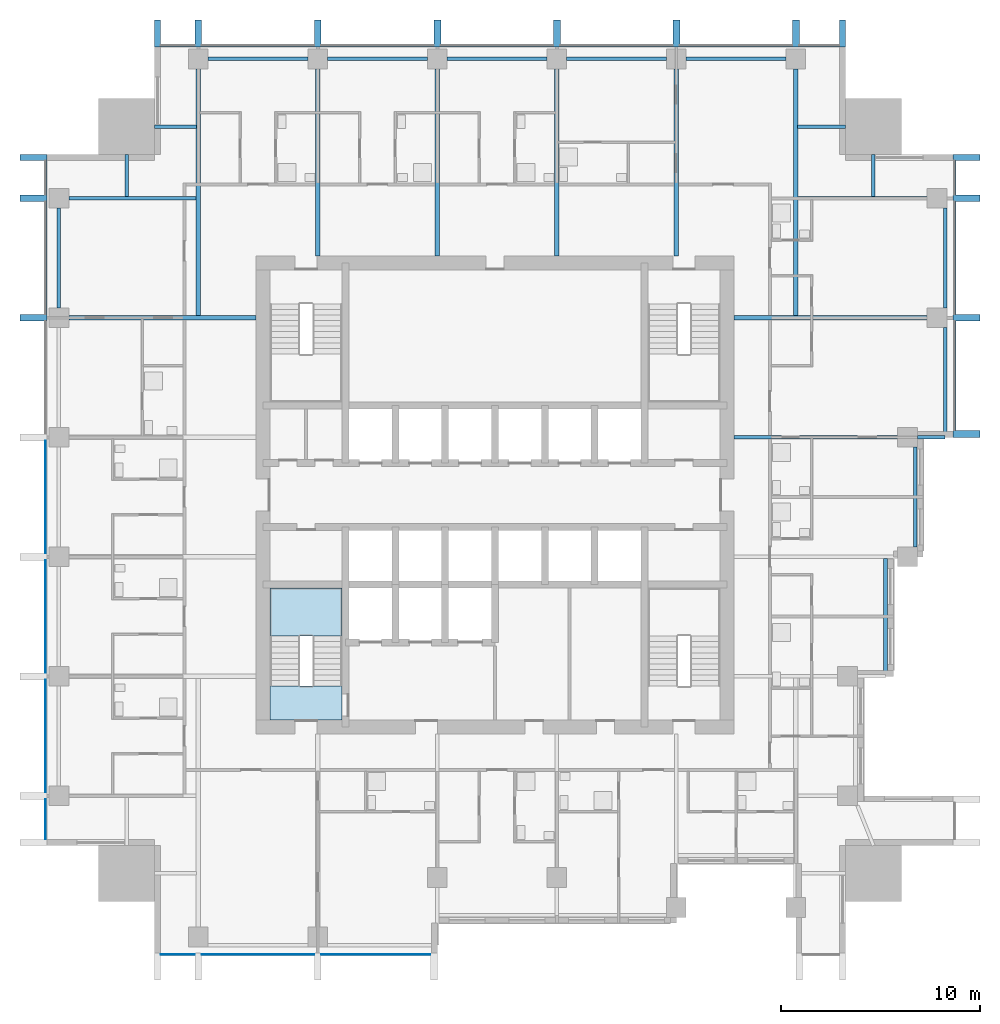
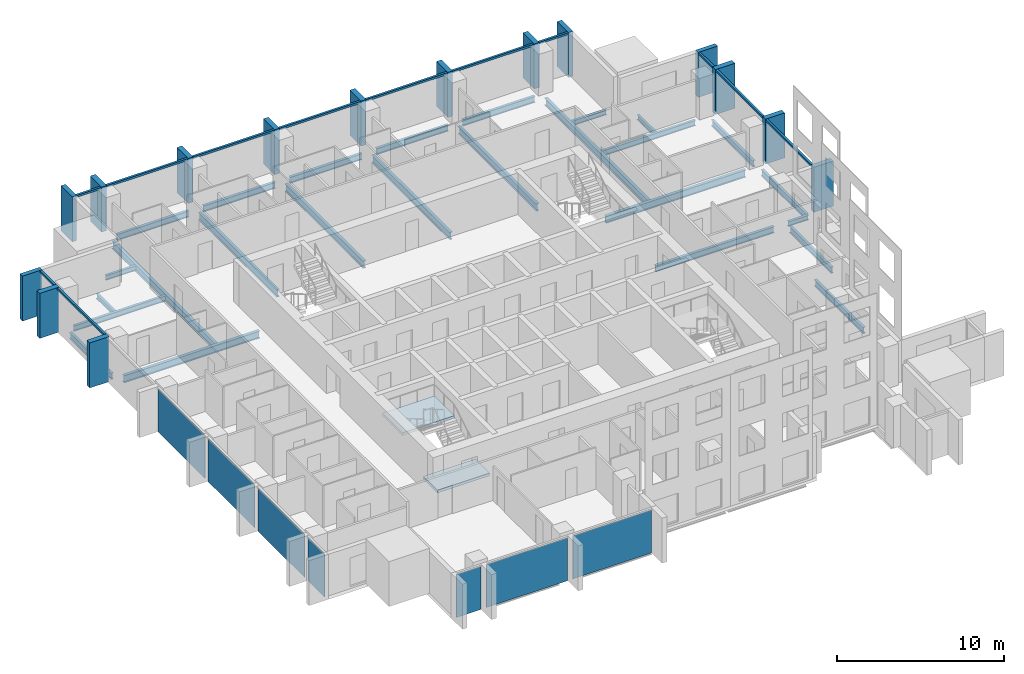
# One storey, part 2 of 11: 27 members, 26 beams, 7 plates, 2 slabs, 5 elements without a shape of their own.
"""IFC4 building model written with IfcOpenShell, lengths in metres."""

import ifcopenshell
import ifcopenshell.guid

model = None  # the IFC model being written
_history = None  # IfcOwnerHistory: only IFC2X3 demands one
_inside = {}  # id of a spatial element -> (the spatial element, [elements in it])
_under = {}  # id of a project, library or spatial element -> (it, [spatial elements below it])
_declared = {}  # id of a project -> (the project, [libraries it declares])
_typed = {}  # id of a type object -> (the type object, [elements of that type])
_made_of = {}  # id of a material, layer set ... -> (it, [elements and type objects made of it])


def new_model(schema):
    """Start an empty IFC model of exactly this schema.

    Asked for "IFC4X3", IfcOpenShell would pick the latest addendum, in which some entities
    have other attributes; the version numbers below select the first issue.
    IFC2X3 requires an IfcOwnerHistory on every rooted entity: one is made here for all.
    """
    global model, _history
    if schema == "IFC4X3":
        model = ifcopenshell.file(schema_version=(4, 3, 0, 0))
    else:
        model = ifcopenshell.file(schema=schema)
    _inside.clear()
    _under.clear()
    _declared.clear()
    _typed.clear()
    _made_of.clear()
    _history = None
    if model.schema == "IFC2X3":
        org = make("IfcOrganization", Name="unknown")
        user = make(
            "IfcPersonAndOrganization",
            ThePerson=make("IfcPerson", FamilyName="unknown"),
            TheOrganization=org,
        )
        app = make(
            "IfcApplication",
            ApplicationDeveloper=org,
            Version="unknown",
            ApplicationFullName="unknown",
            ApplicationIdentifier="unknown",
        )
        _history = make(
            "IfcOwnerHistory",
            OwningUser=user,
            OwningApplication=app,
            ChangeAction="ADDED",
            CreationDate=0,
        )
    return model


def make(cls, **values):
    """One entity of the class cls with the attributes given. An attribute that is None is left unset."""
    return model.create_entity(
        cls, **{name: value for name, value in values.items() if value is not None}
    )


def rooted(cls, **values):
    """An entity with a GlobalId (a new one), such as an element, a storey or a relation."""
    return make(cls, GlobalId=ifcopenshell.guid.new(), OwnerHistory=_history, **values)


def si_unit(unit_type, name, prefix=None):
    """IfcSIUnit, for example si_unit("LENGTHUNIT", "METRE", prefix="MILLI")."""
    return make("IfcSIUnit", UnitType=unit_type, Prefix=prefix, Name=name)


def assignment(units):
    """IfcUnitAssignment: the units of a project."""
    return None if units is None else make("IfcUnitAssignment", Units=units)


def point(xyz):
    """IfcCartesianPoint."""
    return None if xyz is None else make("IfcCartesianPoint", Coordinates=xyz)


def direction(xyz):
    """IfcDirection."""
    return None if xyz is None else make("IfcDirection", DirectionRatios=xyz)


def frame(location, z_axis=None, x_axis=None):
    """IfcAxis2Placement3D, a coordinate frame: its origin and axes. An axis left out is left unset."""
    return make(
        "IfcAxis2Placement3D",
        Location=point(location),
        Axis=direction(z_axis),
        RefDirection=direction(x_axis),
    )


def frame_2d(location, x_axis=None):
    """IfcAxis2Placement2D, a coordinate frame in the plane: its origin and x axis."""
    return make(
        "IfcAxis2Placement2D", Location=point(location), RefDirection=direction(x_axis)
    )


def origin():
    """The frame at (0, 0, 0) with its axes left unset."""
    return frame((0.0, 0.0, 0.0))


def origin_2d():
    """The frame at (0, 0) in the plane with its x axis left unset."""
    return frame_2d((0.0, 0.0))


def place(relative_to, where):
    """IfcLocalPlacement: puts the frame where relative to a parent placement (None: the world)."""
    return make(
        "IfcLocalPlacement", PlacementRelTo=relative_to, RelativePlacement=where
    )


def context(
    kind, dimensions, precision=None, world=None, true_north=None, identifier=None
):
    """IfcGeometricRepresentationContext, for example the 3D "Model" context."""
    return make(
        "IfcGeometricRepresentationContext",
        ContextIdentifier=identifier,
        ContextType=kind,
        CoordinateSpaceDimension=dimensions,
        Precision=precision,
        WorldCoordinateSystem=world,
        TrueNorth=true_north,
    )


def subcontext(parent, identifier, kind, view, scale=None):
    """IfcGeometricRepresentationSubContext, for example "Body" below "Model"."""
    return make(
        "IfcGeometricRepresentationSubContext",
        ContextIdentifier=identifier,
        ContextType=kind,
        ParentContext=parent,
        TargetScale=scale,
        TargetView=view,
    )


def project(units=None, contexts=None):
    """IfcProject with its units and contexts."""
    return rooted(
        "IfcProject",
        Name="project",
        RepresentationContexts=contexts,
        UnitsInContext=assignment(units),
    )


def spatial(cls, under=None, at=None, **own):
    """A site, building, storey or space (cls), placed at a placement, below another one or the project."""
    s = rooted(cls, ObjectPlacement=at, **own)
    if under is not None:
        _under.setdefault(under.id(), (under, []))[1].append(s)
    return s


def polyline(points):
    """IfcPolyline through the points."""
    return make("IfcPolyline", Points=[point(p) for p in points])


def profile(cls, at=None, kind="AREA", **sizes):
    """A parametric profile (cls). Its sizes go by their IFC names, for example OverallWidth=200.0."""
    return make(cls, ProfileType=kind, Position=at, **sizes)


def rectangle(**sizes):
    """IfcRectangleProfileDef."""
    return profile("IfcRectangleProfileDef", **sizes)


def i_section(**sizes):
    """IfcIShapeProfileDef."""
    return profile("IfcIShapeProfileDef", **sizes)


def outline(outer, holes=None, kind="AREA"):
    """IfcArbitraryClosedProfileDef: a profile drawn as a closed curve; with holes, ...WithVoids."""
    if holes is None:
        return make("IfcArbitraryClosedProfileDef", ProfileType=kind, OuterCurve=outer)
    return make(
        "IfcArbitraryProfileDefWithVoids",
        ProfileType=kind,
        OuterCurve=outer,
        InnerCurves=holes,
    )


def extrude(swept, where, along, depth):
    """IfcExtrudedAreaSolid: the profile swept, set in the frame where, extruded along a direction by depth."""
    return make(
        "IfcExtrudedAreaSolid",
        SweptArea=swept,
        Position=where,
        ExtrudedDirection=direction(along),
        Depth=depth,
    )


def shape(context_of_items, identifier, shape_type, items):
    """IfcShapeRepresentation: the items that make up one representation, for example the "Body"."""
    return make(
        "IfcShapeRepresentation",
        ContextOfItems=context_of_items,
        RepresentationIdentifier=identifier,
        RepresentationType=shape_type,
        Items=items,
    )


def material(Name=None, Category=None):
    """IfcMaterial."""
    return make("IfcMaterial", Name=Name, Category=Category)


def layer(
    of_material, thickness, ventilated=None, Name=None, Category=None, Priority=None
):
    """IfcMaterialLayer: one layer of a wall or slab, of a material (None: an air gap)."""
    return make(
        "IfcMaterialLayer",
        Material=of_material,
        LayerThickness=thickness,
        IsVentilated=ventilated,
        Name=Name,
        Category=Category,
        Priority=Priority,
    )


def layer_set(layers, Name=None):
    """IfcMaterialLayerSet."""
    return make("IfcMaterialLayerSet", MaterialLayers=layers, LayerSetName=Name)


def material_profile(
    of_material, cross_section, Name=None, Category=None, Priority=None
):
    """IfcMaterialProfile: a cross section and its material."""
    return make(
        "IfcMaterialProfile",
        Name=Name,
        Material=of_material,
        Profile=cross_section,
        Priority=Priority,
        Category=Category,
    )


def profile_set(profiles, Name=None, composite=None):
    """IfcMaterialProfileSet."""
    return make(
        "IfcMaterialProfileSet",
        Name=Name,
        MaterialProfiles=profiles,
        CompositeProfile=composite,
    )


def made_of(thing, what):
    """Note that an element or type object is made of a material, layer set ...; save() writes the relation."""
    if what is not None:
        _made_of.setdefault(what.id(), (what, []))[1].append(thing)
    return thing


def type_object(cls, material=None, **own):
    """A type object (cls), such as IfcWallType, which elements share."""
    return made_of(rooted(cls, **own), material)


def element(
    cls,
    number,
    at=None,
    inside=None,
    cuts=None,
    type_object=None,
    material=None,
    context=None,
    identifier="Body",
    shape_type=None,
    held_by="IfcProductDefinitionShape",
    body=None,
    shapes=None,
    **own,
):
    """One element of the class cls, such as IfcWall. Its Tag is "e" and its number.

    at: its placement. inside: the storey or other place that contains it. cuts: it is an
    opening in that element (IfcRelVoidsElement). A single representation is given by context,
    identifier, shape_type and body (its items); several are given by shapes. held_by: the class
    of the entity that holds the representations. save() writes the other relations.
    """
    e = rooted(cls, Tag="e%d" % number, ObjectPlacement=at, **own)
    if body is not None:
        shapes = [shape(context, identifier, shape_type, body)]
    if shapes is not None:
        e.Representation = make(held_by, Representations=shapes)
    if inside is not None:
        _inside.setdefault(inside.id(), (inside, []))[1].append(e)
    if cuts is not None:
        rooted(
            "IfcRelVoidsElement", RelatingBuildingElement=cuts, RelatedOpeningElement=e
        )
    if type_object is not None:
        _typed.setdefault(type_object.id(), (type_object, []))[1].append(e)
    return made_of(e, material)


def aggregate(whole, parts):
    """IfcRelAggregates: a whole, such as a stair, and the parts it consists of."""
    return rooted("IfcRelAggregates", RelatingObject=whole, RelatedObjects=parts)


def save(model, path):
    """Write the relations noted so far, then the file.

    IfcRelAggregates (storeys below a building ...), IfcRelContainedInSpatialStructure (elements
    in a storey), IfcRelDefinesByType, IfcRelAssociatesMaterial and IfcRelDeclares: one each for
    every whole, place, type object, material and project.
    """
    for whole, parts in _under.values():
        aggregate(whole, parts)
    for where, things in _inside.values():
        rooted(
            "IfcRelContainedInSpatialStructure",
            RelatedElements=things,
            RelatingStructure=where,
        )
    for kind, things in _typed.values():
        rooted("IfcRelDefinesByType", RelatedObjects=things, RelatingType=kind)
    for what, things in _made_of.values():
        rooted("IfcRelAssociatesMaterial", RelatedObjects=things, RelatingMaterial=what)
    for by, libraries in _declared.values():
        rooted("IfcRelDeclares", RelatingContext=by, RelatedDefinitions=libraries)
    model.write(path)


model = new_model("IFC4")

# Units and contexts
model_context = context("Model", 3, precision=1e-05, world=origin(), true_north=direction((0.0, 1.0)))
body_context = subcontext(model_context, "Body", "Model", "MODEL_VIEW")
ifc_project = project(units=[si_unit("LENGTHUNIT", "METRE"), si_unit("AREAUNIT", "SQUARE_METRE"), si_unit("VOLUMEUNIT", "CUBIC_METRE"), si_unit("PLANEANGLEUNIT", "RADIAN"), si_unit("MASSUNIT", "GRAM", prefix="KILO")], contexts=[model_context])

# Site, building, storey
site_placement = place(None, origin())
site = spatial("IfcSite", under=ifc_project, at=site_placement, CompositionType="ELEMENT")
building_placement = place(site_placement, origin())
building = spatial("IfcBuilding", under=site, at=building_placement, Name="Amberfall Residences", CompositionType="ELEMENT")
storey_placement = place(building_placement, frame((0.0, 0.0, 154.89990234375)))
storey = spatial("IfcBuildingStorey", under=building, at=storey_placement, Name="L41", CompositionType="ELEMENT", Elevation=154.89990234375)

# Curtain wall, members
ifc_material_1 = material(Name="Bronze anodised aluminium and glass", Category="aluminium")
curtain_wall_type = type_object("IfcCurtainWallType", Name="Curtain wall CW1 tower unit", PredefinedType="USERDEFINED", material=ifc_material_1)
curtain_wall_1_placement = place(storey_placement, origin())
curtain_wall_1 = element("IfcCurtainWall", 1, at=curtain_wall_1_placement, inside=storey, type_object=curtain_wall_type, Name="Curtain wall L41 E E9", ObjectType="UNITISED CURTAIN WALL", PredefinedType="USERDEFINED")
ifc_material_2 = material(Name="Bronze anodised aluminium", Category="aluminium")
ifc_material_profile_1 = material_profile(ifc_material_2, rectangle(XDim=0.14990234375, YDim=0.14990234375, at=origin_2d()), Name="CW1 transom 150 x 150 bronze")
ifc_profile_set_1 = profile_set([ifc_material_profile_1], Name="Bronze anodised aluminium")
member_type_1 = type_object("IfcMemberType", Name="CW1 transom 150 x 150 bronze", PredefinedType="USERDEFINED", material=ifc_profile_set_1)
member_1_placement = place(storey_placement, frame((97.574951171875, 48.75, 2.97509765625), z_axis=(0.0, 1.0, 0.0), x_axis=(-1.0, 0.0, 0.0)))
member_1 = element("IfcMember", 2, at=member_1_placement, type_object=member_type_1, Name="CW1 transom 1.1", ObjectType="TRANSOM", PredefinedType="USERDEFINED", context=body_context, shape_type="SweptSolid", body=[
    extrude(rectangle(XDim=0.14990234375, YDim=0.14990234375, at=origin_2d()), origin(), (0.0, 0.0, 1.0), 5.47509765625),
])
member_2_placement = place(storey_placement, frame((97.574951171875, 54.574951171875, 2.97509765625), z_axis=(0.0, 1.0, 0.0), x_axis=(-1.0, 0.0, 0.0)))
member_2 = element("IfcMember", 3, at=member_2_placement, type_object=member_type_1, Name="CW1 transom 2.1", ObjectType="TRANSOM", PredefinedType="USERDEFINED", context=body_context, shape_type="SweptSolid", body=[
    extrude(rectangle(XDim=0.14990234375, YDim=0.14990234375, at=origin_2d()), origin(), (0.0, 0.0, 1.0), 5.650146484375),
])
member_3_placement = place(storey_placement, frame((97.574951171875, 60.574951171875, 2.97509765625), z_axis=(0.0, 1.0, 0.0), x_axis=(-1.0, 0.0, 0.0)))
member_3 = element("IfcMember", 4, at=member_3_placement, type_object=member_type_1, Name="CW1 transom 3.1", ObjectType="TRANSOM", PredefinedType="USERDEFINED", context=body_context, shape_type="SweptSolid", body=[
    extrude(rectangle(XDim=0.14990234375, YDim=0.14990234375, at=origin_2d()), origin(), (0.0, 0.0, 1.0), 1.72509765625),
])

curtain_wall_2_placement = place(storey_placement, origin())
curtain_wall_2 = element("IfcCurtainWall", 5, at=curtain_wall_2_placement, inside=storey, type_object=curtain_wall_type, Name="Curtain wall L41 N N1", ObjectType="UNITISED CURTAIN WALL", PredefinedType="USERDEFINED")
member_4_placement = place(storey_placement, frame((91.800048828125, 68.074951171875, 2.97509765625), z_axis=(-1.0, 0.0, 0.0), x_axis=(0.0, -1.0, 0.0)))
member_4 = element("IfcMember", 6, at=member_4_placement, type_object=member_type_1, Name="CW1 transom 1.1", ObjectType="TRANSOM", PredefinedType="USERDEFINED", context=body_context, shape_type="SweptSolid", body=[
    extrude(rectangle(XDim=0.14990234375, YDim=0.14990234375, at=origin_2d()), origin(), (0.0, 0.0, 1.0), 2.025146484375),
])
member_5_placement = place(storey_placement, frame((89.425048828125, 68.074951171875, 2.97509765625), z_axis=(-1.0, 0.0, 0.0), x_axis=(0.0, -1.0, 0.0)))
member_5 = element("IfcMember", 7, at=member_5_placement, type_object=member_type_1, Name="CW1 transom 2.1", ObjectType="TRANSOM", PredefinedType="USERDEFINED", context=body_context, shape_type="SweptSolid", body=[
    extrude(rectangle(XDim=0.14990234375, YDim=0.14990234375, at=origin_2d()), origin(), (0.0, 0.0, 1.0), 5.650146484375),
])
member_6_placement = place(storey_placement, frame((83.425048828125, 68.074951171875, 2.97509765625), z_axis=(-1.0, 0.0, 0.0), x_axis=(0.0, -1.0, 0.0)))
member_6 = element("IfcMember", 8, at=member_6_placement, type_object=member_type_1, Name="CW1 transom 3.1", ObjectType="TRANSOM", PredefinedType="USERDEFINED", context=body_context, shape_type="SweptSolid", body=[
    extrude(rectangle(XDim=0.14990234375, YDim=0.14990234375, at=origin_2d()), origin(), (0.0, 0.0, 1.0), 5.650146484375),
])
member_7_placement = place(storey_placement, frame((77.425048828125, 68.074951171875, 2.97509765625), z_axis=(-1.0, 0.0, 0.0), x_axis=(0.0, -1.0, 0.0)))
member_7 = element("IfcMember", 9, at=member_7_placement, type_object=member_type_1, Name="CW1 transom 4.1", ObjectType="TRANSOM", PredefinedType="USERDEFINED", context=body_context, shape_type="SweptSolid", body=[
    extrude(rectangle(XDim=0.14990234375, YDim=0.14990234375, at=origin_2d()), origin(), (0.0, 0.0, 1.0), 5.650146484375),
])
member_8_placement = place(storey_placement, frame((71.425048828125, 68.074951171875, 2.97509765625), z_axis=(-1.0, 0.0, 0.0), x_axis=(0.0, -1.0, 0.0)))
member_8 = element("IfcMember", 10, at=member_8_placement, type_object=member_type_1, Name="CW1 transom 5.1", ObjectType="TRANSOM", PredefinedType="USERDEFINED", context=body_context, shape_type="SweptSolid", body=[
    extrude(rectangle(XDim=0.14990234375, YDim=0.14990234375, at=origin_2d()), origin(), (0.0, 0.0, 1.0), 5.650146484375),
])
member_9_placement = place(storey_placement, frame((65.425048828125, 68.074951171875, 2.97509765625), z_axis=(-1.0, 0.0, 0.0), x_axis=(0.0, -1.0, 0.0)))
member_9 = element("IfcMember", 11, at=member_9_placement, type_object=member_type_1, Name="CW1 transom 6.1", ObjectType="TRANSOM", PredefinedType="USERDEFINED", context=body_context, shape_type="SweptSolid", body=[
    extrude(rectangle(XDim=0.14990234375, YDim=0.14990234375, at=origin_2d()), origin(), (0.0, 0.0, 1.0), 5.650146484375),
])
member_10_placement = place(storey_placement, frame((59.425048828125, 68.074951171875, 2.97509765625), z_axis=(-1.0, 0.0, 0.0), x_axis=(0.0, -1.0, 0.0)))
member_10 = element("IfcMember", 12, at=member_10_placement, type_object=member_type_1, Name="CW1 transom 7.1", ObjectType="TRANSOM", PredefinedType="USERDEFINED", context=body_context, shape_type="SweptSolid", body=[
    extrude(rectangle(XDim=0.14990234375, YDim=0.14990234375, at=origin_2d()), origin(), (0.0, 0.0, 1.0), 1.72509765625),
])

curtain_wall_3_placement = place(storey_placement, origin())
curtain_wall_3 = element("IfcCurtainWall", 13, at=curtain_wall_3_placement, inside=storey, type_object=curtain_wall_type, Name="Curtain wall L41 W W1", ObjectType="UNITISED CURTAIN WALL", PredefinedType="USERDEFINED")
member_11_placement = place(storey_placement, frame((51.925048828125, 62.300048828125, 2.97509765625), z_axis=(0.0, -1.0, 0.0), x_axis=(1.0, 0.0, 0.0)))
member_11 = element("IfcMember", 14, at=member_11_placement, type_object=member_type_1, Name="CW1 transom 1.1", ObjectType="TRANSOM", PredefinedType="USERDEFINED", context=body_context, shape_type="SweptSolid", body=[
    extrude(rectangle(XDim=0.14990234375, YDim=0.14990234375, at=origin_2d()), origin(), (0.0, 0.0, 1.0), 1.72509765625),
])
member_12_placement = place(storey_placement, frame((51.925048828125, 60.22509765625, 2.97509765625), z_axis=(0.0, -1.0, 0.0), x_axis=(1.0, 0.0, 0.0)))
member_12 = element("IfcMember", 15, at=member_12_placement, type_object=member_type_1, Name="CW1 transom 2.1", ObjectType="TRANSOM", PredefinedType="USERDEFINED", context=body_context, shape_type="SweptSolid", body=[
    extrude(rectangle(XDim=0.14990234375, YDim=0.14990234375, at=origin_2d()), origin(), (0.0, 0.0, 1.0), 5.650146484375),
])

# Beam
ifc_material_3 = material(Name="Steel S355", Category="steel")
ifc_material_profile_2 = material_profile(ifc_material_3, i_section(OverallWidth=0.171142578125, OverallDepth=0.351318359375, WebThickness=0.007080078125, FlangeThickness=0.009765625, FilletRadius=0.01025390625, at=origin_2d()), Name="UB 356x171x45")
ifc_profile_set_2 = profile_set([ifc_material_profile_2], Name="Steel S355")
beam_type_1 = type_object("IfcBeamType", Name="Cantilever girder UB 356x171x45", PredefinedType="BEAM", material=ifc_profile_set_2)
beam_1_placement = place(storey_placement, frame((95.699951171875, 48.39990234375, -0.425537109375), z_axis=(1.0, 0.0, 0.0), x_axis=(0.0, 1.0, 0.0)))
element("IfcBeam", 16, at=beam_1_placement, inside=storey, type_object=beam_type_1, Name="Cantilever girder B8 L41 20", PredefinedType="BEAM", context=body_context, shape_type="SweptSolid", body=[
    extrude(i_section(OverallWidth=0.171142578125, OverallDepth=0.351318359375, WebThickness=0.007080078125, FlangeThickness=0.009765625, FilletRadius=0.01025390625, at=origin_2d()), origin(), (0.0, 0.0, 1.0), 1.400146484375),
])

# Member
ifc_material_profile_3 = material_profile(ifc_material_2, rectangle(XDim=1.35009765625, YDim=0.300048828125, at=origin_2d()), Name="Corner fin 300 x 1350 bronze")
ifc_profile_set_3 = profile_set([ifc_material_profile_3], Name="Bronze anodised aluminium")
member_type_2 = type_object("IfcMemberType", Name="Corner fin 300 x 1350 bronze", PredefinedType="MULLION", material=ifc_profile_set_3)
member_13_placement = place(storey_placement, frame((98.175048828125, 62.449951171875, -0.25), z_axis=(0.0, 0.0, 1.0), x_axis=(-1.0, 0.0, 0.0)))
member_13 = element("IfcMember", 17, at=member_13_placement, type_object=member_type_2, Name="CW FIN 4", PredefinedType="MULLION", context=body_context, shape_type="SweptSolid", body=[
    extrude(rectangle(XDim=1.35009765625, YDim=0.300048828125, at=origin_2d()), origin(), (0.0, 0.0, 1.0), 3.300048828125),
])

member_14_placement = place(storey_placement, frame((91.949951171875, 68.675048828125, -0.25), z_axis=(0.0, 0.0, 1.0), x_axis=(0.0, -1.0, 0.0)))
member_14 = element("IfcMember", 18, at=member_14_placement, type_object=member_type_2, Name="CW FIN 1", PredefinedType="MULLION", context=body_context, shape_type="SweptSolid", body=[
    extrude(rectangle(XDim=1.35009765625, YDim=0.300048828125, at=origin_2d()), origin(), (0.0, 0.0, 1.0), 3.300048828125),
])

member_15_placement = place(storey_placement, frame((57.550048828125, 68.675048828125, -0.25), z_axis=(0.0, 0.0, 1.0), x_axis=(0.0, -1.0, 0.0)))
member_15 = element("IfcMember", 19, at=member_15_placement, type_object=member_type_2, Name="CW FIN 8", PredefinedType="MULLION", context=body_context, shape_type="SweptSolid", body=[
    extrude(rectangle(XDim=1.35009765625, YDim=0.300048828125, at=origin_2d()), origin(), (0.0, 0.0, 1.0), 3.300048828125),
])

member_16_placement = place(storey_placement, frame((51.324951171875, 62.449951171875, -0.25), z_axis=(0.0, 0.0, 1.0), x_axis=(1.0, 0.0, 0.0)))
member_16 = element("IfcMember", 20, at=member_16_placement, type_object=member_type_2, Name="CW FIN 1", PredefinedType="MULLION", context=body_context, shape_type="SweptSolid", body=[
    extrude(rectangle(XDim=1.35009765625, YDim=0.300048828125, at=origin_2d()), origin(), (0.0, 0.0, 1.0), 3.300048828125),
])

# Beams
ifc_material_profile_4 = material_profile(ifc_material_3, i_section(OverallWidth=0.18994140625, OverallDepth=0.453369140625, WebThickness=0.008544921875, FlangeThickness=0.0126953125, FilletRadius=0.01025390625, at=origin_2d()), Name="UB 457x191x67")
ifc_profile_set_4 = profile_set([ifc_material_profile_4], Name="Steel S355")
beam_type_2 = type_object("IfcBeamType", Name="Edge beam UB 457x191x67", PredefinedType="SPANDREL", material=ifc_profile_set_4)
beam_2_placement = place(storey_placement, frame((94.10009765625, 36.47998046875, -0.4765625), z_axis=(0.0, 1.0, 0.0), x_axis=(-1.0, 0.0, 0.0)))
element("IfcBeam", 21, at=beam_2_placement, inside=storey, type_object=beam_type_2, Name="Edge beam B1 L41 15", PredefinedType="SPANDREL", context=body_context, shape_type="SweptSolid", body=[
    extrude(i_section(OverallWidth=0.18994140625, OverallDepth=0.453369140625, WebThickness=0.008544921875, FlangeThickness=0.0126953125, FilletRadius=0.01025390625, at=origin_2d()), origin(), (0.0, 0.0, 1.0), 5.840087890625),
])
beam_3_placement = place(storey_placement, frame((95.60009765625, 42.89990234375, -0.4765625), z_axis=(0.0, 1.0, 0.0), x_axis=(-1.0, 0.0, 0.0)))
element("IfcBeam", 22, at=beam_3_placement, inside=storey, type_object=beam_type_2, Name="Edge beam B1 L41 16", PredefinedType="SPANDREL", context=body_context, shape_type="SweptSolid", body=[
    extrude(i_section(OverallWidth=0.18994140625, OverallDepth=0.453369140625, WebThickness=0.008544921875, FlangeThickness=0.0126953125, FilletRadius=0.01025390625, at=origin_2d()), origin(), (0.0, 0.0, 1.0), 5.0),
])
beam_4_placement = place(storey_placement, frame((97.10009765625, 48.47998046875, -0.4765625), z_axis=(0.0, 1.0, 0.0), x_axis=(-1.0, 0.0, 0.0)))
element("IfcBeam", 23, at=beam_4_placement, inside=storey, type_object=beam_type_2, Name="Edge beam B1 L41 17", PredefinedType="SPANDREL", context=body_context, shape_type="SweptSolid", body=[
    extrude(i_section(OverallWidth=0.18994140625, OverallDepth=0.453369140625, WebThickness=0.008544921875, FlangeThickness=0.0126953125, FilletRadius=0.01025390625, at=origin_2d()), origin(), (0.0, 0.0, 1.0), 5.419921875),
])
for number, where, z_axis, x_axis, name in (
    (24, (97.10009765625, 54.89990234375, -0.4765625), (0.0, 1.0, 0.0), (-1.0, 0.0, 0.0), "Edge beam B1 L41 18"),
    (25, (60.10009765625, 67.39990234375, -0.4765625), (1.0, 0.0, 0.0), (0.0, 1.0, 0.0), "Edge beam B1 L41 27"),
    (26, (66.10009765625, 67.39990234375, -0.4765625), (1.0, 0.0, 0.0), (0.0, 1.0, 0.0), "Edge beam B1 L41 28"),
    (27, (72.10009765625, 67.39990234375, -0.4765625), (1.0, 0.0, 0.0), (0.0, 1.0, 0.0), "Edge beam B1 L41 29"),
    (28, (78.10009765625, 67.39990234375, -0.4765625), (1.0, 0.0, 0.0), (0.0, 1.0, 0.0), "Edge beam B1 L41 30"),
    (29, (84.10009765625, 67.39990234375, -0.4765625), (1.0, 0.0, 0.0), (0.0, 1.0, 0.0), "Edge beam B1 L41 31"),
    (30, (52.60009765625, 54.89990234375, -0.4765625), (0.0, 1.0, 0.0), (-1.0, 0.0, 0.0), "Edge beam B1 L41 42"),
):
    element("IfcBeam", number, at=place(storey_placement, frame(where, z_axis=z_axis, x_axis=x_axis)), inside=storey, type_object=beam_type_2, Name=name, PredefinedType="SPANDREL", context=body_context, shape_type="SweptSolid", body=[
        extrude(i_section(OverallWidth=0.18994140625, OverallDepth=0.453369140625, WebThickness=0.008544921875, FlangeThickness=0.0126953125, FilletRadius=0.01025390625, at=origin_2d()), origin(), (0.0, 0.0, 1.0), 5.0),
    ])

# Member
ifc_material_profile_5 = material_profile(ifc_material_2, rectangle(XDim=1.35009765625, YDim=0.35009765625, at=origin_2d()), Name="Fin 350 x 1350 bronze")
ifc_profile_set_5 = profile_set([ifc_material_profile_5], Name="Bronze anodised aluminium")
member_type_3 = type_object("IfcMemberType", Name="Fin 350 x 1350 bronze", PredefinedType="MULLION", material=ifc_profile_set_5)
member_17_placement = place(storey_placement, frame((98.175048828125, 48.574951171875, -0.25), z_axis=(0.0, 0.0, 1.0), x_axis=(-1.0, 0.0, 0.0)))
member_17 = element("IfcMember", 31, at=member_17_placement, type_object=member_type_3, Name="CW FIN 1", PredefinedType="MULLION", context=body_context, shape_type="SweptSolid", body=[
    extrude(rectangle(XDim=1.35009765625, YDim=0.35009765625, at=origin_2d()), origin(), (0.0, 0.0, 1.0), 3.300048828125),
])

member_18_placement = place(storey_placement, frame((98.175048828125, 54.39990234375, -0.25), z_axis=(0.0, 0.0, 1.0), x_axis=(-1.0, 0.0, 0.0)))
member_18 = element("IfcMember", 32, at=member_18_placement, type_object=member_type_3, Name="CW FIN 2", PredefinedType="MULLION", context=body_context, shape_type="SweptSolid", body=[
    extrude(rectangle(XDim=1.35009765625, YDim=0.35009765625, at=origin_2d()), origin(), (0.0, 0.0, 1.0), 3.300048828125),
])

member_19_placement = place(storey_placement, frame((98.175048828125, 60.39990234375, -0.25), z_axis=(0.0, 0.0, 1.0), x_axis=(-1.0, 0.0, 0.0)))
member_19 = element("IfcMember", 33, at=member_19_placement, type_object=member_type_3, Name="CW FIN 3", PredefinedType="MULLION", context=body_context, shape_type="SweptSolid", body=[
    extrude(rectangle(XDim=1.35009765625, YDim=0.35009765625, at=origin_2d()), origin(), (0.0, 0.0, 1.0), 3.300048828125),
])

aggregate(curtain_wall_1, [member_17, member_18, member_19, member_13, member_1, member_2, member_3])

member_20_placement = place(storey_placement, frame((89.60009765625, 68.675048828125, -0.25), z_axis=(0.0, 0.0, 1.0), x_axis=(0.0, -1.0, 0.0)))
member_20 = element("IfcMember", 34, at=member_20_placement, type_object=member_type_3, Name="CW FIN 2", PredefinedType="MULLION", context=body_context, shape_type="SweptSolid", body=[
    extrude(rectangle(XDim=1.35009765625, YDim=0.35009765625, at=origin_2d()), origin(), (0.0, 0.0, 1.0), 3.300048828125),
])

member_21_placement = place(storey_placement, frame((83.60009765625, 68.675048828125, -0.25), z_axis=(0.0, 0.0, 1.0), x_axis=(0.0, -1.0, 0.0)))
member_21 = element("IfcMember", 35, at=member_21_placement, type_object=member_type_3, Name="CW FIN 3", PredefinedType="MULLION", context=body_context, shape_type="SweptSolid", body=[
    extrude(rectangle(XDim=1.35009765625, YDim=0.35009765625, at=origin_2d()), origin(), (0.0, 0.0, 1.0), 3.300048828125),
])

member_22_placement = place(storey_placement, frame((77.60009765625, 68.675048828125, -0.25), z_axis=(0.0, 0.0, 1.0), x_axis=(0.0, -1.0, 0.0)))
member_22 = element("IfcMember", 36, at=member_22_placement, type_object=member_type_3, Name="CW FIN 4", PredefinedType="MULLION", context=body_context, shape_type="SweptSolid", body=[
    extrude(rectangle(XDim=1.35009765625, YDim=0.35009765625, at=origin_2d()), origin(), (0.0, 0.0, 1.0), 3.300048828125),
])

member_23_placement = place(storey_placement, frame((71.60009765625, 68.675048828125, -0.25), z_axis=(0.0, 0.0, 1.0), x_axis=(0.0, -1.0, 0.0)))
member_23 = element("IfcMember", 37, at=member_23_placement, type_object=member_type_3, Name="CW FIN 5", PredefinedType="MULLION", context=body_context, shape_type="SweptSolid", body=[
    extrude(rectangle(XDim=1.35009765625, YDim=0.35009765625, at=origin_2d()), origin(), (0.0, 0.0, 1.0), 3.300048828125),
])

member_24_placement = place(storey_placement, frame((65.60009765625, 68.675048828125, -0.25), z_axis=(0.0, 0.0, 1.0), x_axis=(0.0, -1.0, 0.0)))
member_24 = element("IfcMember", 38, at=member_24_placement, type_object=member_type_3, Name="CW FIN 6", PredefinedType="MULLION", context=body_context, shape_type="SweptSolid", body=[
    extrude(rectangle(XDim=1.35009765625, YDim=0.35009765625, at=origin_2d()), origin(), (0.0, 0.0, 1.0), 3.300048828125),
])

member_25_placement = place(storey_placement, frame((59.60009765625, 68.675048828125, -0.25), z_axis=(0.0, 0.0, 1.0), x_axis=(0.0, -1.0, 0.0)))
member_25 = element("IfcMember", 39, at=member_25_placement, type_object=member_type_3, Name="CW FIN 7", PredefinedType="MULLION", context=body_context, shape_type="SweptSolid", body=[
    extrude(rectangle(XDim=1.35009765625, YDim=0.35009765625, at=origin_2d()), origin(), (0.0, 0.0, 1.0), 3.300048828125),
])

aggregate(curtain_wall_2, [member_14, member_20, member_21, member_22, member_23, member_24, member_25, member_15, member_4, member_5, member_6, member_7, member_8, member_9, member_10])

member_26_placement = place(storey_placement, frame((51.324951171875, 60.39990234375, -0.25), z_axis=(0.0, 0.0, 1.0), x_axis=(1.0, 0.0, 0.0)))
member_26 = element("IfcMember", 40, at=member_26_placement, type_object=member_type_3, Name="CW FIN 2", PredefinedType="MULLION", context=body_context, shape_type="SweptSolid", body=[
    extrude(rectangle(XDim=1.35009765625, YDim=0.35009765625, at=origin_2d()), origin(), (0.0, 0.0, 1.0), 3.300048828125),
])

member_27_placement = place(storey_placement, frame((51.324951171875, 54.39990234375, -0.25), z_axis=(0.0, 0.0, 1.0), x_axis=(1.0, 0.0, 0.0)))
member_27 = element("IfcMember", 41, at=member_27_placement, type_object=member_type_3, Name="CW FIN 3", PredefinedType="MULLION", context=body_context, shape_type="SweptSolid", body=[
    extrude(rectangle(XDim=1.35009765625, YDim=0.35009765625, at=origin_2d()), origin(), (0.0, 0.0, 1.0), 3.300048828125),
])

# Beams
ifc_material_profile_6 = material_profile(ifc_material_3, i_section(OverallWidth=0.177734375, OverallDepth=0.402587890625, WebThickness=0.0078125, FlangeThickness=0.010986328125, FilletRadius=0.01025390625, at=origin_2d()), Name="UB 406x178x54")
ifc_profile_set_6 = profile_set([ifc_material_profile_6], Name="Steel S355")
beam_type_3 = type_object("IfcBeamType", Name="Floor girder UB 406x178x54", PredefinedType="BEAM", material=ifc_profile_set_6)
beam_5_placement = place(storey_placement, frame((96.199951171875, 60.39990234375, -0.451171875), z_axis=(-1.0, 0.0, 0.0), x_axis=(0.0, -1.0, 0.0)))
element("IfcBeam", 42, at=beam_5_placement, inside=storey, type_object=beam_type_3, Name="Floor girder B4 L41 26", PredefinedType="BEAM", context=body_context, shape_type="SweptSolid", body=[
    extrude(i_section(OverallWidth=0.177734375, OverallDepth=0.402587890625, WebThickness=0.0078125, FlangeThickness=0.010986328125, FilletRadius=0.01025390625, at=origin_2d()), origin(), (0.0, 0.0, 1.0), 6.47998046875),
])
beam_6_placement = place(storey_placement, frame((53.10009765625, 60.39990234375, -0.451171875), z_axis=(1.0, 0.0, 0.0), x_axis=(0.0, 1.0, 0.0)))
element("IfcBeam", 43, at=beam_6_placement, inside=storey, type_object=beam_type_3, Name="Floor girder B4 L41 48", PredefinedType="BEAM", context=body_context, shape_type="SweptSolid", body=[
    extrude(i_section(OverallWidth=0.177734375, OverallDepth=0.402587890625, WebThickness=0.0078125, FlangeThickness=0.010986328125, FilletRadius=0.01025390625, at=origin_2d()), origin(), (0.0, 0.0, 1.0), 6.3798828125),
])
ifc_material_profile_7 = material_profile(ifc_material_3, i_section(OverallWidth=0.19140625, OverallDepth=0.4599609375, WebThickness=0.010009765625, FlangeThickness=0.01611328125, FilletRadius=0.01025390625, at=origin_2d()), Name="UB 457x191x82")
ifc_profile_set_7 = profile_set([ifc_material_profile_7], Name="Steel S355")
beam_type_4 = type_object("IfcBeamType", Name="Floor girder UB 457x191x82", PredefinedType="BEAM", material=ifc_profile_set_7)
beam_7_placement = place(storey_placement, frame((94.699951171875, 48.39990234375, -0.47998046875), z_axis=(-1.0, 0.0, 0.0), x_axis=(0.0, -1.0, 0.0)))
element("IfcBeam", 44, at=beam_7_placement, inside=storey, type_object=beam_type_4, Name="Floor girder B10 L41 24", PredefinedType="BEAM", context=body_context, shape_type="SweptSolid", body=[
    extrude(i_section(OverallWidth=0.19140625, OverallDepth=0.4599609375, WebThickness=0.010009765625, FlangeThickness=0.01611328125, FilletRadius=0.01025390625, at=origin_2d()), origin(), (0.0, 0.0, 1.0), 8.199951171875),
])
ifc_material_profile_8 = material_profile(ifc_material_3, i_section(OverallWidth=0.210693359375, OverallDepth=0.53955078125, WebThickness=0.01171875, FlangeThickness=0.018798828125, FilletRadius=0.0126953125, at=origin_2d()), Name="UB 533x210x109")
ifc_profile_set_8 = profile_set([ifc_material_profile_8], Name="Steel S355")
beam_type_5 = type_object("IfcBeamType", Name="Floor girder UB 533x210x109", PredefinedType="BEAM", material=ifc_profile_set_8)
for number, where, z_axis, x_axis, name in (
    (45, (59.60009765625, 66.89990234375, -0.51953125), (0.0, -1.0, 0.0), (1.0, 0.0, 0.0), "Floor girder B2 L41 32"),
    (46, (89.60009765625, 66.89990234375, -0.51953125), (0.0, -1.0, 0.0), (1.0, 0.0, 0.0), "Floor girder B2 L41 37"),
):
    element("IfcBeam", number, at=place(storey_placement, frame(where, z_axis=z_axis, x_axis=x_axis)), inside=storey, type_object=beam_type_5, Name=name, PredefinedType="BEAM", context=body_context, shape_type="SweptSolid", body=[
        extrude(i_section(OverallWidth=0.210693359375, OverallDepth=0.53955078125, WebThickness=0.01171875, FlangeThickness=0.018798828125, FilletRadius=0.0126953125, at=origin_2d()), origin(), (0.0, 0.0, 1.0), 12.400390625),
    ])
ifc_material_profile_9 = material_profile(ifc_material_3, i_section(OverallWidth=0.209228515625, OverallDepth=0.533203125, WebThickness=0.010009765625, FlangeThickness=0.015625, FilletRadius=0.0126953125, at=origin_2d()), Name="UB 533x210x92")
ifc_profile_set_9 = profile_set([ifc_material_profile_9], Name="Steel S355")
beam_type_6 = type_object("IfcBeamType", Name="Floor girder UB 533x210x92", PredefinedType="BEAM", material=ifc_profile_set_9)
beam_8_placement = place(storey_placement, frame((96.199951171875, 54.39990234375, -0.516357421875), z_axis=(-1.0, 0.0, 0.0), x_axis=(0.0, -1.0, 0.0)))
element("IfcBeam", 47, at=beam_8_placement, inside=storey, type_object=beam_type_6, Name="Floor girder B3 L41 25", PredefinedType="BEAM", context=body_context, shape_type="SweptSolid", body=[
    extrude(i_section(OverallWidth=0.209228515625, OverallDepth=0.533203125, WebThickness=0.010009765625, FlangeThickness=0.015625, FilletRadius=0.0126953125, at=origin_2d()), origin(), (0.0, 0.0, 1.0), 9.699951171875),
])
for number, where, z_axis, x_axis, name in (
    (48, (65.60009765625, 66.89990234375, -0.516357421875), (0.0, -1.0, 0.0), (1.0, 0.0, 0.0), "Floor girder B3 L41 33"),
    (49, (71.60009765625, 66.89990234375, -0.516357421875), (0.0, -1.0, 0.0), (1.0, 0.0, 0.0), "Floor girder B3 L41 34"),
    (50, (77.60009765625, 66.89990234375, -0.516357421875), (0.0, -1.0, 0.0), (1.0, 0.0, 0.0), "Floor girder B3 L41 35"),
    (51, (83.60009765625, 66.89990234375, -0.516357421875), (0.0, -1.0, 0.0), (1.0, 0.0, 0.0), "Floor girder B3 L41 36"),
    (52, (53.10009765625, 54.39990234375, -0.516357421875), (1.0, 0.0, 0.0), (0.0, 1.0, 0.0), "Floor girder B3 L41 47"),
):
    element("IfcBeam", number, at=place(storey_placement, frame(where, z_axis=z_axis, x_axis=x_axis)), inside=storey, type_object=beam_type_6, Name=name, PredefinedType="BEAM", context=body_context, shape_type="SweptSolid", body=[
        extrude(i_section(OverallWidth=0.209228515625, OverallDepth=0.533203125, WebThickness=0.010009765625, FlangeThickness=0.015625, FilletRadius=0.0126953125, at=origin_2d()), origin(), (0.0, 0.0, 1.0), 9.39990234375),
    ])
ifc_material_profile_10 = material_profile(ifc_material_3, i_section(OverallWidth=0.171142578125, OverallDepth=0.351318359375, WebThickness=0.007080078125, FlangeThickness=0.009765625, FilletRadius=0.01025390625, at=origin_2d()), Name="UB 356x171x45")
ifc_profile_set_10 = profile_set([ifc_material_profile_10], Name="Steel S355")
beam_type_7 = type_object("IfcBeamType", Name="Link beam UB 356x171x45", PredefinedType="BEAM", material=ifc_profile_set_10)
beam_9_placement = place(storey_placement, frame((92.10009765625, 64.0, -0.425537109375), z_axis=(-1.0, 0.0, 0.0), x_axis=(0.0, -1.0, 0.0)))
element("IfcBeam", 53, at=beam_9_placement, inside=storey, type_object=beam_type_7, Name="Link beam B7 L41 53", PredefinedType="BEAM", context=body_context, shape_type="SweptSolid", body=[
    extrude(i_section(OverallWidth=0.171142578125, OverallDepth=0.351318359375, WebThickness=0.007080078125, FlangeThickness=0.009765625, FilletRadius=0.01025390625, at=origin_2d()), origin(), (0.0, 0.0, 1.0), 2.40478515625),
])
beam_10_placement = place(storey_placement, frame((93.5, 62.60009765625, -0.425537109375), z_axis=(0.0, -1.0, 0.0), x_axis=(1.0, 0.0, 0.0)))
element("IfcBeam", 54, at=beam_10_placement, inside=storey, type_object=beam_type_7, Name="Link beam B7 L41 54", PredefinedType="BEAM", context=body_context, shape_type="SweptSolid", body=[
    extrude(i_section(OverallWidth=0.171142578125, OverallDepth=0.351318359375, WebThickness=0.007080078125, FlangeThickness=0.009765625, FilletRadius=0.01025390625, at=origin_2d()), origin(), (0.0, 0.0, 1.0), 2.12109375),
])
beam_11_placement = place(storey_placement, frame((57.39990234375, 64.0, -0.425537109375), z_axis=(1.0, 0.0, 0.0), x_axis=(0.0, 1.0, 0.0)))
element("IfcBeam", 55, at=beam_11_placement, inside=storey, type_object=beam_type_7, Name="Link beam B7 L41 55", PredefinedType="BEAM", context=body_context, shape_type="SweptSolid", body=[
    extrude(i_section(OverallWidth=0.171142578125, OverallDepth=0.351318359375, WebThickness=0.007080078125, FlangeThickness=0.009765625, FilletRadius=0.01025390625, at=origin_2d()), origin(), (0.0, 0.0, 1.0), 2.104736328125),
])
beam_12_placement = place(storey_placement, frame((56.0, 62.60009765625, -0.425537109375), z_axis=(0.0, -1.0, 0.0), x_axis=(1.0, 0.0, 0.0)))
element("IfcBeam", 56, at=beam_12_placement, inside=storey, type_object=beam_type_7, Name="Link beam B7 L41 56", PredefinedType="BEAM", context=body_context, shape_type="SweptSolid", body=[
    extrude(i_section(OverallWidth=0.171142578125, OverallDepth=0.351318359375, WebThickness=0.007080078125, FlangeThickness=0.009765625, FilletRadius=0.01025390625, at=origin_2d()), origin(), (0.0, 0.0, 1.0), 2.12109375),
])

# Curtain wall, plates
curtain_wall_4_placement = place(storey_placement, origin())
curtain_wall_4 = element("IfcCurtainWall", 57, at=curtain_wall_4_placement, inside=storey, type_object=curtain_wall_type, Name="Curtain wall L41 S S1", ObjectType="UNITISED CURTAIN WALL", PredefinedType="USERDEFINED")
ifc_material_4 = material(Name="Tinted double glazed unit", Category="glass")
ifc_layer_1 = layer(ifc_material_4, 0.035888671875)
ifc_layer_set_1 = layer_set([ifc_layer_1], Name="CW1 panel 36 glazing")
plate_type = type_object("IfcPlateType", Name="CW1 panel 36 glazing", PredefinedType="CURTAIN_PANEL", material=ifc_layer_set_1)
plate_1_placement = place(storey_placement, frame((58.5625, 22.425048828125, -0.249755859375), z_axis=(0.0, 0.0, 1.0), x_axis=(1.0, 0.0, 0.0)))
plate_1 = element("IfcPlate", 58, at=plate_1_placement, type_object=plate_type, Name="CW1 panel 1.1", PredefinedType="CURTAIN_PANEL", context=body_context, shape_type="SweptSolid", body=[
    extrude(rectangle(XDim=1.700927734375, YDim=0.035888671875, at=origin_2d()), origin(), (0.0, 0.0, 1.0), 3.14990234375),
])
plate_2_placement = place(storey_placement, frame((62.60009765625, 22.425048828125, -0.249755859375), z_axis=(0.0, 0.0, 1.0), x_axis=(1.0, 0.0, 0.0)))
plate_2 = element("IfcPlate", 59, at=plate_2_placement, type_object=plate_type, Name="CW1 panel 2.1", PredefinedType="CURTAIN_PANEL", context=body_context, shape_type="SweptSolid", body=[
    extrude(rectangle(XDim=5.6259765625, YDim=0.035888671875, at=origin_2d()), origin(), (0.0, 0.0, 1.0), 3.14990234375),
])
plate_3_placement = place(storey_placement, frame((68.512451171875, 22.425048828125, -0.249755859375), z_axis=(0.0, 0.0, 1.0), x_axis=(1.0, 0.0, 0.0)))
plate_3 = element("IfcPlate", 60, at=plate_3_placement, type_object=plate_type, Name="CW1 panel 3.1", PredefinedType="CURTAIN_PANEL", context=body_context, shape_type="SweptSolid", body=[
    extrude(rectangle(XDim=5.450927734375, YDim=0.035888671875, at=origin_2d()), origin(), (0.0, 0.0, 1.0), 3.14990234375),
])
aggregate(curtain_wall_4, [plate_1, plate_2, plate_3])

# Plate
plate_4_placement = place(storey_placement, frame((51.925048828125, 45.39990234375, -0.249755859375), z_axis=(0.0, 0.0, 1.0), x_axis=(0.0, -1.0, 0.0)))
plate_4 = element("IfcPlate", 61, at=plate_4_placement, type_object=plate_type, Name="CW1 panel 4.1", PredefinedType="CURTAIN_PANEL", context=body_context, shape_type="SweptSolid", body=[
    extrude(rectangle(XDim=5.6259765625, YDim=0.035888671875, at=origin_2d()), origin(), (0.0, 0.0, 1.0), 3.14990234375),
])

plate_5_placement = place(storey_placement, frame((51.925048828125, 39.39990234375, -0.249755859375), z_axis=(0.0, 0.0, 1.0), x_axis=(0.0, -1.0, 0.0)))
plate_5 = element("IfcPlate", 62, at=plate_5_placement, type_object=plate_type, Name="CW1 panel 5.1", PredefinedType="CURTAIN_PANEL", context=body_context, shape_type="SweptSolid", body=[
    extrude(rectangle(XDim=5.6259765625, YDim=0.035888671875, at=origin_2d()), origin(), (0.0, 0.0, 1.0), 3.14990234375),
])

plate_6_placement = place(storey_placement, frame((51.925048828125, 33.39990234375, -0.249755859375), z_axis=(0.0, 0.0, 1.0), x_axis=(0.0, -1.0, 0.0)))
plate_6 = element("IfcPlate", 63, at=plate_6_placement, type_object=plate_type, Name="CW1 panel 6.1", PredefinedType="CURTAIN_PANEL", context=body_context, shape_type="SweptSolid", body=[
    extrude(rectangle(XDim=5.6259765625, YDim=0.035888671875, at=origin_2d()), origin(), (0.0, 0.0, 1.0), 3.14990234375),
])

plate_7_placement = place(storey_placement, frame((51.925048828125, 29.21240234375, -0.249755859375), z_axis=(0.0, 0.0, 1.0), x_axis=(0.0, -1.0, 0.0)))
plate_7 = element("IfcPlate", 64, at=plate_7_placement, type_object=plate_type, Name="CW1 panel 7.1", PredefinedType="CURTAIN_PANEL", context=body_context, shape_type="SweptSolid", body=[
    extrude(rectangle(XDim=2.0009765625, YDim=0.035888671875, at=origin_2d()), origin(), (0.0, 0.0, 1.0), 3.14990234375),
])

aggregate(curtain_wall_3, [member_16, member_26, member_27, member_11, member_12, plate_4, plate_5, plate_6, plate_7])

# Stair, slabs
ifc_material_5 = material(Name="Concrete C40", Category="concrete")
stair_type = type_object("IfcStairType", Name="Exit stair 20 risers 165.0 mm", PredefinedType="HALF_TURN_STAIR", material=ifc_material_5)
stair_placement = place(storey_placement, origin())
stair = element("IfcStair", 65, at=stair_placement, inside=storey, type_object=stair_type, Name="L41 Exit stair 1", PredefinedType="HALF_TURN_STAIR")
ifc_layer_2 = layer(ifc_material_5, 0.199951171875)
ifc_layer_set_2 = layer_set([ifc_layer_2], Name="Stair landing 200")
slab_type = type_object("IfcSlabType", Name="Stair landing 200", PredefinedType="LANDING", material=ifc_layer_set_2)
slab_1_placement = place(storey_placement, frame((0.0, 0.0, 1.4501953125)))
slab_1 = element("IfcSlab", 66, at=slab_1_placement, type_object=slab_type, Name="ST3 landing 1", PredefinedType="LANDING", context=body_context, shape_type="SweptSolid", body=[
    extrude(outline(polyline([(66.824951171875, 38.419921875), (66.824951171875, 40.824951171875), (63.199951171875, 40.824951171875), (63.199951171875, 38.419921875), (66.824951171875, 38.419921875)])), origin(), (0.0, 0.0, 1.0), 0.199951171875),
])
slab_2_placement = place(storey_placement, frame((0.0, 0.0, -0.199951171875)))
slab_2 = element("IfcSlab", 67, at=slab_2_placement, type_object=slab_type, Name="ST3 landing 2", PredefinedType="LANDING", context=body_context, shape_type="SweptSolid", body=[
    extrude(outline(polyline([(66.824951171875, 34.199951171875), (66.824951171875, 35.89990234375), (63.199951171875, 35.89990234375), (63.199951171875, 34.199951171875), (66.824951171875, 34.199951171875)])), origin(), (0.0, 0.0, 1.0), 0.199951171875),
])
aggregate(stair, [slab_1, slab_2])

save(model, "model.ifc")
